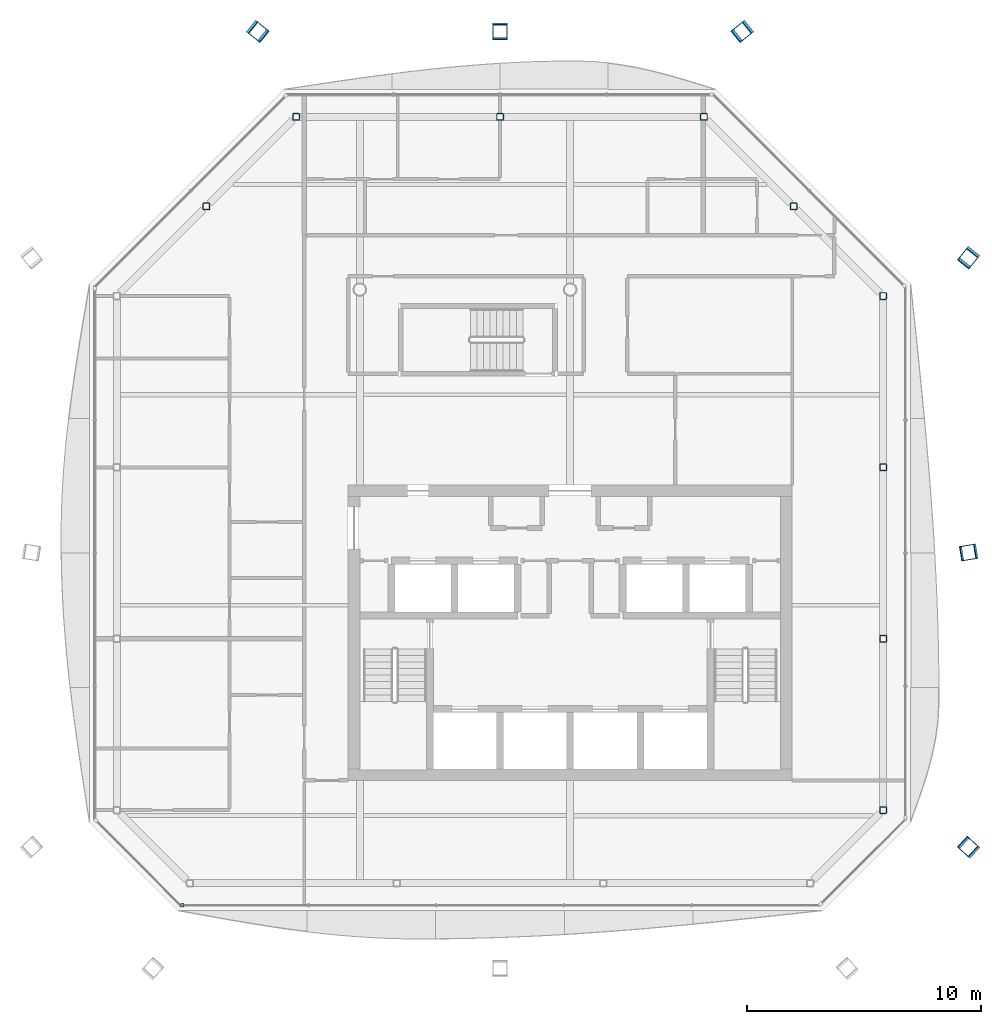
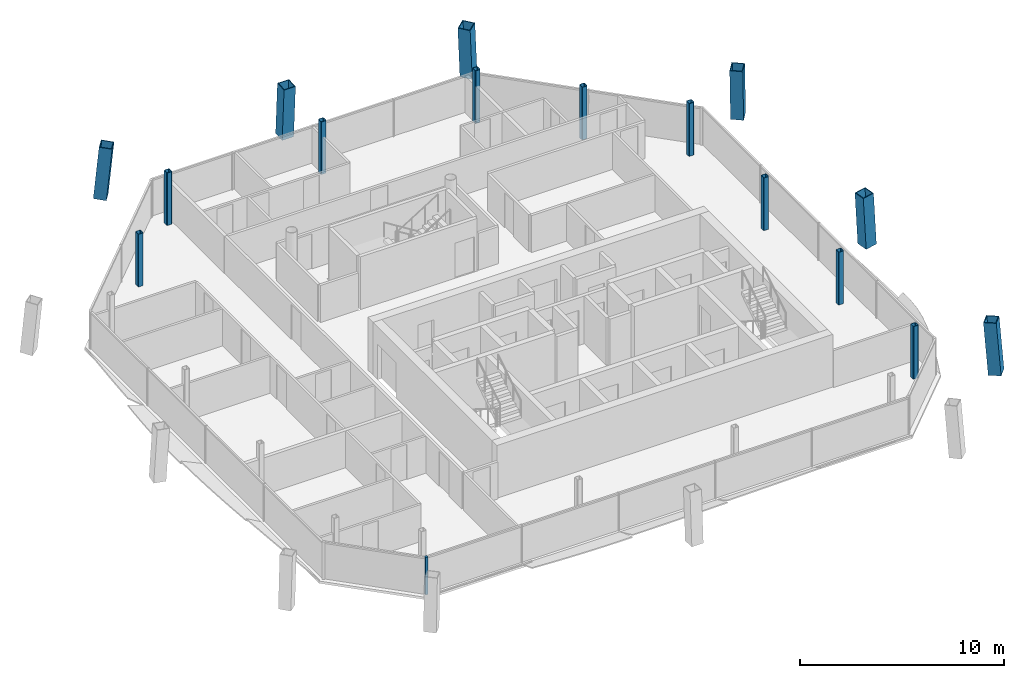
# One storey, part 2 of 16: 15 columns, 1 member, 1 element without a shape of its own.
"""IFC4 building model written with IfcOpenShell, lengths in metres."""

from ifc_helpers import new_model, si_unit, direction, frame, origin, origin_2d, place, context, subcontext, project, spatial, rectangle, hollow_rectangle, extrude, material, material_profile, profile_set, type_object, element, aggregate, save


model = new_model("IFC4")

# Units and contexts
model_context = context("Model", 3, precision=1e-05, world=origin(), true_north=direction((0.0, 1.0)))
body_context = subcontext(model_context, "Body", "Model", "MODEL_VIEW")
ifc_project = project(units=[si_unit("LENGTHUNIT", "METRE"), si_unit("AREAUNIT", "SQUARE_METRE"), si_unit("VOLUMEUNIT", "CUBIC_METRE"), si_unit("PLANEANGLEUNIT", "RADIAN"), si_unit("MASSUNIT", "GRAM", prefix="KILO")], contexts=[model_context])

# Site, building, storey
site_placement = place(None, origin())
site = spatial("IfcSite", under=ifc_project, at=site_placement, CompositionType="ELEMENT")
building_placement = place(site_placement, origin())
building = spatial("IfcBuilding", under=site, at=building_placement, Name="Tskaro Facet Tower", CompositionType="ELEMENT")
storey_placement = place(building_placement, frame((0.0, 0.0, 251.85009765625)))
storey = spatial("IfcBuildingStorey", under=building, at=storey_placement, Name="L66", CompositionType="ELEMENT", Elevation=251.85009765625)

# Columns
ifc_material_1 = material(Name="Steel S355J2", Category="steel")
ifc_material_profile_1 = material_profile(ifc_material_1, hollow_rectangle(XDim=0.64990234375, YDim=0.64990234375, WallThickness=0.0400390625, at=origin_2d()), Name="BOX 650x650x40")
ifc_profile_set_1 = profile_set([ifc_material_profile_1], Name="Steel S355J2")
column_type_1 = type_object("IfcColumnType", Name="BOX 650x650x40 mega column", PredefinedType="COLUMN", material=ifc_profile_set_1)
column_1_placement = place(storey_placement, frame((17.075927734375, -14.885986328125, 0.0), z_axis=(-0.057897055791, 0.052811503593, 0.996924709303), x_axis=(-0.673914188103, -0.738809628439, 0.0)))
element("IfcColumn", 1, at=column_1_placement, inside=storey, type_object=column_type_1, Name="BOX 650x650x40 MC04/5", PredefinedType="COLUMN", context=body_context, shape_type="SweptSolid", body=[
    extrude(hollow_rectangle(XDim=0.64990234375, YDim=0.64990234375, WallThickness=0.0400390625, at=origin_2d()), origin(), (0.0, 0.0, 1.0), 3.120361328125),
])
column_2_placement = place(storey_placement, frame((17.075927734375, -2.240966796875, 0.0), z_axis=(-0.057963746138, -0.009530427263, 0.99827319662), x_axis=(0.162242075901, -0.986750986221, 0.0)))
element("IfcColumn", 2, at=column_2_placement, inside=storey, type_object=column_type_1, Name="BOX 650x650x40 MC05/5", PredefinedType="COLUMN", context=body_context, shape_type="SweptSolid", body=[
    extrude(hollow_rectangle(XDim=0.64990234375, YDim=0.64990234375, WallThickness=0.0400390625, at=origin_2d()), origin(), (0.0, 0.0, 1.0), 3.125244140625),
])
for number, where, z_axis, x_axis, name in (
    (3, (17.075927734375, 10.403076171875, 0.0), (-0.057790053393, -0.071806882061, 0.995742979597), (0.779042047511, -0.626971680549, 0.0), "BOX 650x650x40 MC06/5"),
    (4, (7.403076171875, 20.075927734375, 0.0), (-0.071806882061, -0.057790053393, 0.995742979597), (0.626971680549, -0.779042047511, 0.0), "BOX 650x650x40 MC07/5"),
):
    element("IfcColumn", number, at=place(storey_placement, frame(where, z_axis=z_axis, x_axis=x_axis)), inside=storey, type_object=column_type_1, Name=name, PredefinedType="COLUMN", context=body_context, shape_type="SweptSolid", body=[
        extrude(hollow_rectangle(XDim=0.64990234375, YDim=0.64990234375, WallThickness=0.0400390625, at=origin_2d()), origin(), (0.0, 0.0, 1.0), 3.11767578125),
    ])
column_3_placement = place(storey_placement, frame((-3.0, 20.075927734375, 0.0), z_axis=(0.0, -0.057961858241, 0.998318798275), x_axis=(1.0, 0.0, 0.0)))
element("IfcColumn", 5, at=column_3_placement, inside=storey, type_object=column_type_1, Name="BOX 650x650x40 MC08/5", PredefinedType="COLUMN", context=body_context, shape_type="SweptSolid", body=[
    extrude(hollow_rectangle(XDim=0.64990234375, YDim=0.64990234375, WallThickness=0.0400390625, at=origin_2d()), origin(), (0.0, 0.0, 1.0), 3.12548828125),
])
column_4_placement = place(storey_placement, frame((-13.403076171875, 20.075927734375, 0.0), z_axis=(0.071806882061, -0.057790053393, 0.995742979597), x_axis=(0.626971680549, 0.779042047511, 0.0)))
element("IfcColumn", 6, at=column_4_placement, inside=storey, type_object=column_type_1, Name="BOX 650x650x40 MC09/5", PredefinedType="COLUMN", context=body_context, shape_type="SweptSolid", body=[
    extrude(hollow_rectangle(XDim=0.64990234375, YDim=0.64990234375, WallThickness=0.0400390625, at=origin_2d()), origin(), (0.0, 0.0, 1.0), 3.11767578125),
])
ifc_material_2 = material(Name="Steel S355J2H", Category="steel")
ifc_material_profile_2 = material_profile(ifc_material_2, hollow_rectangle(XDim=0.300048828125, YDim=0.300048828125, WallThickness=0.02001953125, InnerFilletRadius=0.030029296875, OuterFilletRadius=0.050048828125, at=origin_2d()), Name="SHS 300x300x20")
ifc_profile_set_2 = profile_set([ifc_material_profile_2], Name="Steel S355J2H")
column_type_2 = type_object("IfcColumnType", Name="SHS 300x300x20 ring column", PredefinedType="COLUMN", material=ifc_profile_set_2)
for number, where, z_axis, x_axis, name in (
    (7, (13.39111328125, -13.26806640625, 0.0), (0.0, 0.0, 1.0), (1.0, 0.0, 0.0), "SHS 300x300x20 RE-1/5"),
    (8, (13.39111328125, -5.93701171875, 0.0), (0.0, 0.0, 1.0), (1.0, 0.0, 0.0), "SHS 300x300x20 RE-2/5"),
    (9, (13.39111328125, 1.39404296875, 0.0), (0.0, 0.0, 1.0), (1.0, 0.0, 0.0), "SHS 300x300x20 RE-3/5"),
    (10, (13.39111328125, 8.72509765625, 0.0), (0.0, 0.0, 1.0), (1.0, 0.0, 0.0), "SHS 300x300x20 RNE-1/5"),
    (11, (9.55810546875, 12.55810546875, 0.0), (0.0, 0.0, 1.0), (1.0, 0.0, 0.0), "SHS 300x300x20 RNE-2/5"),
    (12, (5.72509765625, 16.39111328125, 0.0), (0.0, 0.0, 1.0), (1.0, 0.0, 0.0), "SHS 300x300x20 RN-1/5"),
    (13, (-3.0, 16.39111328125, 0.0), (0.0, 0.0, 1.0), (1.0, 0.0, 0.0), "SHS 300x300x20 RN-2/5"),
    (14, (-11.72509765625, 16.39111328125, 0.0), (0.0, 0.0, 1.0), (1.0, 0.0, 0.0), "SHS 300x300x20 RNW-1/5"),
    (15, (-15.55810546875, 12.55810546875, 0.0), (0.0, 0.0, 1.0), (1.0, 0.0, 0.0), "SHS 300x300x20 RNW-2/5"),
):
    element("IfcColumn", number, at=place(storey_placement, frame(where, z_axis=z_axis, x_axis=x_axis)), inside=storey, type_object=column_type_2, Name=name, PredefinedType="COLUMN", context=body_context, shape_type="SweptSolid", body=[
        extrude(hollow_rectangle(XDim=0.300048828125, YDim=0.300048828125, WallThickness=0.02001953125, InnerFilletRadius=0.030029296875, OuterFilletRadius=0.050048828125, at=origin_2d()), origin(), (0.0, 0.0, 1.0), 3.14990234375),
    ])

# Curtain wall, member
ifc_material_3 = material(Name="Bronze anodised aluminium 6063-T6", Category="aluminium")
curtain_wall_type = type_object("IfcCurtainWallType", Name="Bronze residence curtain wall (FW3)", PredefinedType="NOTDEFINED", material=ifc_material_3)
curtain_wall_placement = place(storey_placement, origin())
curtain_wall = element("IfcCurtainWall", 16, at=curtain_wall_placement, inside=storey, type_object=curtain_wall_type, Name="FW3 south facet L66", PredefinedType="NOTDEFINED")
ifc_material_profile_3 = material_profile(ifc_material_3, rectangle(XDim=0.139892578125, YDim=0.139892578125, at=origin_2d()), Name="Corner post 140x140")
ifc_profile_set_3 = profile_set([ifc_material_profile_3], Name="Bronze anodised aluminium 6063-T6")
member_type = type_object("IfcMemberType", Name="FW3 bronze corner post 140x140", PredefinedType="MULLION", material=ifc_profile_set_3)
member_placement = place(storey_placement, frame((-16.591064453125, -17.341064453125, 0.0), z_axis=(0.0, 0.0, 1.0), x_axis=(1.0, 0.0, 0.0)))
member = element("IfcMember", 17, at=member_placement, type_object=member_type, Name="FW3 south corner post", PredefinedType="MULLION", context=body_context, shape_type="SweptSolid", body=[
    extrude(rectangle(XDim=0.139892578125, YDim=0.139892578125, at=origin_2d()), origin(), (0.0, 0.0, 1.0), 2.239990234375),
])
aggregate(curtain_wall, [member])

save(model, "model.ifc")
